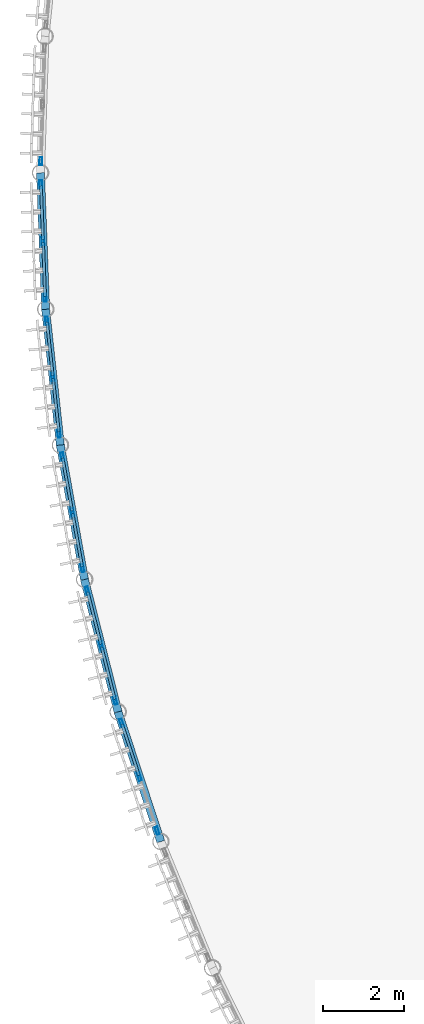
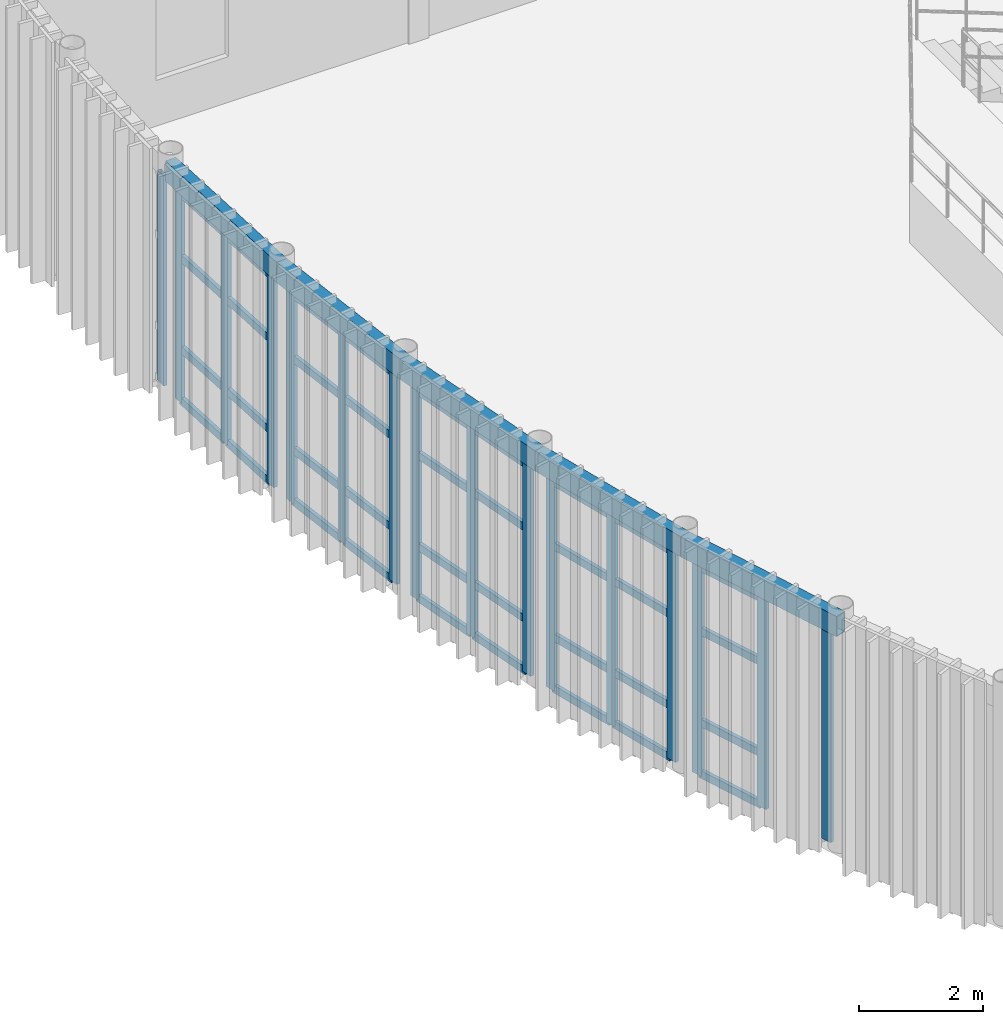
# One storey, part 34 of 116: 52 members, 5 beams, 6 elements without a shape of their own.
"""IFC4 building model written with IfcOpenShell, lengths in metres."""

from ifc_helpers import new_model, si_unit, direction, frame, origin, origin_2d, place, context, subcontext, project, spatial, hollow_rectangle, extrude, material, layer, layer_set, material_profile, profile_set, type_object, element, aggregate, save


model = new_model("IFC4")

# Units and contexts
model_context = context("Model", 3, precision=1e-05, world=origin(), true_north=direction((0.0, 1.0)))
body_context = subcontext(model_context, "Body", "Model", "MODEL_VIEW")
ifc_project = project(units=[si_unit("LENGTHUNIT", "METRE"), si_unit("AREAUNIT", "SQUARE_METRE"), si_unit("VOLUMEUNIT", "CUBIC_METRE"), si_unit("PLANEANGLEUNIT", "RADIAN"), si_unit("MASSUNIT", "GRAM", prefix="KILO")], contexts=[model_context])

# Site, building, storey
site_placement = place(None, origin())
site = spatial("IfcSite", under=ifc_project, at=site_placement, CompositionType="ELEMENT")
building_placement = place(site_placement, origin())
building = spatial("IfcBuilding", under=site, at=building_placement, Name="Selat Folded Stagehouse", CompositionType="ELEMENT")
storey_placement = place(building_placement, frame((0.0, 0.0, 5.39990234375)))
storey = spatial("IfcBuildingStorey", under=building, at=storey_placement, Name="L01", CompositionType="ELEMENT", Elevation=5.39990234375)

# Curtain wall, member
ifc_material_1 = material(Name="Aluminium 6063-T6", Category="aluminium")
ifc_layer = layer(ifc_material_1, 0.199951171875)
ifc_layer_set = layer_set([ifc_layer], Name="Aluminium 6063-T6")
curtain_wall_type = type_object("IfcCurtainWallType", Name="CW-DRM-MID", PredefinedType="NOTDEFINED", material=ifc_layer_set)
curtain_wall_1_placement = place(storey_placement, origin())
curtain_wall_1 = element("IfcCurtainWall", 1, at=curtain_wall_1_placement, inside=storey, type_object=curtain_wall_type, Name="L01 curtain wall CW-DRM-L01-01", PredefinedType="NOTDEFINED")
ifc_material_profile_1 = material_profile(ifc_material_1, hollow_rectangle(XDim=0.070068359375, YDim=0.199951171875, WallThickness=0.0048828125, at=origin_2d()), Name="ALU 200x70x5.0")
ifc_profile_set_1 = profile_set([ifc_material_profile_1], Name="Aluminium 6063-T6")
member_type_1 = type_object("IfcMemberType", Name="CWM-MUL-200x70", PredefinedType="MULLION", material=ifc_profile_set_1)
member_1_placement = place(storey_placement, frame((0.009521484375, 48.16650390625, 0.0), z_axis=(0.0, 0.0, 1.0), x_axis=(-0.999467648801, 0.032625434862, 0.0)))
member_1 = element("IfcMember", 2, at=member_1_placement, type_object=member_type_1, Name="CW-02 mullion 1", PredefinedType="MULLION", context=body_context, shape_type="SweptSolid", body=[
    extrude(hollow_rectangle(XDim=0.070068359375, YDim=0.199951171875, WallThickness=0.0048828125, at=origin_2d()), origin(), (0.0, 0.0, 1.0), 4.14013671875),
])
aggregate(curtain_wall_1, [member_1])

# Curtain wall, members
curtain_wall_2_placement = place(storey_placement, origin())
curtain_wall_2 = element("IfcCurtainWall", 3, at=curtain_wall_2_placement, inside=storey, type_object=curtain_wall_type, Name="L01 curtain wall CW-DRM-L01-02", PredefinedType="NOTDEFINED")
member_2_placement = place(storey_placement, frame((0.115966796875, 44.7998046875, 0.0), z_axis=(0.0, 0.0, 1.0), x_axis=(-0.999293858167, -0.037573727908, 0.0)))
member_2 = element("IfcMember", 4, at=member_2_placement, type_object=member_type_1, Name="CW-02 mullion 1", PredefinedType="MULLION", context=body_context, shape_type="SweptSolid", body=[
    extrude(hollow_rectangle(XDim=0.070068359375, YDim=0.199951171875, WallThickness=0.0048828125, at=origin_2d()), origin(), (0.0, 0.0, 1.0), 4.14013671875),
])
member_3_placement = place(storey_placement, frame((0.0634765625, 46.1982421875, 0.0), z_axis=(0.0, 0.0, 1.0), x_axis=(-0.999293858167, -0.037573727908, 0.0)))
member_3 = element("IfcMember", 5, at=member_3_placement, type_object=member_type_1, Name="CW-02 mullion 2", PredefinedType="MULLION", context=body_context, shape_type="SweptSolid", body=[
    extrude(hollow_rectangle(XDim=0.070068359375, YDim=0.199951171875, WallThickness=0.0048828125, at=origin_2d()), origin(), (0.0, 0.0, 1.0), 4.14013671875),
])
member_4_placement = place(storey_placement, frame((0.0107421875, 47.596923828125, 0.0), z_axis=(0.0, 0.0, 1.0), x_axis=(-0.999293858167, -0.037573727908, 0.0)))
member_4 = element("IfcMember", 6, at=member_4_placement, type_object=member_type_1, Name="CW-02 mullion 3", PredefinedType="MULLION", context=body_context, shape_type="SweptSolid", body=[
    extrude(hollow_rectangle(XDim=0.070068359375, YDim=0.199951171875, WallThickness=0.0048828125, at=origin_2d()), origin(), (0.0, 0.0, 1.0), 4.14013671875),
])

curtain_wall_3_placement = place(storey_placement, origin())
curtain_wall_3 = element("IfcCurtainWall", 7, at=curtain_wall_3_placement, inside=storey, type_object=curtain_wall_type, Name="L01 curtain wall CW-DRM-L01-03", PredefinedType="NOTDEFINED")
member_5_placement = place(storey_placement, frame((0.45849609375, 41.44873046875, 0.0), z_axis=(0.0, 0.0, 1.0), x_axis=(-0.994198790497, -0.107558193428, 0.0)))
member_5 = element("IfcMember", 8, at=member_5_placement, type_object=member_type_1, Name="CW-02 mullion 1", PredefinedType="MULLION", context=body_context, shape_type="SweptSolid", body=[
    extrude(hollow_rectangle(XDim=0.070068359375, YDim=0.199951171875, WallThickness=0.0048828125, at=origin_2d()), origin(), (0.0, 0.0, 1.0), 4.14013671875),
])
member_6_placement = place(storey_placement, frame((0.307861328125, 42.84033203125, 0.0), z_axis=(0.0, 0.0, 1.0), x_axis=(-0.994198790497, -0.107558193428, 0.0)))
member_6 = element("IfcMember", 9, at=member_6_placement, type_object=member_type_1, Name="CW-02 mullion 2", PredefinedType="MULLION", context=body_context, shape_type="SweptSolid", body=[
    extrude(hollow_rectangle(XDim=0.070068359375, YDim=0.199951171875, WallThickness=0.0048828125, at=origin_2d()), origin(), (0.0, 0.0, 1.0), 4.14013671875),
])
member_7_placement = place(storey_placement, frame((0.157470703125, 44.231689453125, 0.0), z_axis=(0.0, 0.0, 1.0), x_axis=(-0.994198790497, -0.107558193428, 0.0)))
member_7 = element("IfcMember", 10, at=member_7_placement, type_object=member_type_1, Name="CW-02 mullion 3", PredefinedType="MULLION", context=body_context, shape_type="SweptSolid", body=[
    extrude(hollow_rectangle(XDim=0.070068359375, YDim=0.199951171875, WallThickness=0.0048828125, at=origin_2d()), origin(), (0.0, 0.0, 1.0), 4.14013671875),
])

curtain_wall_4_placement = place(storey_placement, origin())
curtain_wall_4 = element("IfcCurtainWall", 11, at=curtain_wall_4_placement, inside=storey, type_object=curtain_wall_type, Name="L01 curtain wall CW-DRM-L01-04", PredefinedType="NOTDEFINED")
member_8_placement = place(storey_placement, frame((1.034912109375, 38.130126953125, 0.0), z_axis=(0.0, 0.0, 1.0), x_axis=(-0.984210538572, -0.177001739435, 0.0)))
member_8 = element("IfcMember", 12, at=member_8_placement, type_object=member_type_1, Name="CW-02 mullion 1", PredefinedType="MULLION", context=body_context, shape_type="SweptSolid", body=[
    extrude(hollow_rectangle(XDim=0.070068359375, YDim=0.199951171875, WallThickness=0.0048828125, at=origin_2d()), origin(), (0.0, 0.0, 1.0), 4.14013671875),
])
member_9_placement = place(storey_placement, frame((0.787353515625, 39.507568359375, 0.0), z_axis=(0.0, 0.0, 1.0), x_axis=(-0.984210538572, -0.177001739435, 0.0)))
member_9 = element("IfcMember", 13, at=member_9_placement, type_object=member_type_1, Name="CW-02 mullion 2", PredefinedType="MULLION", context=body_context, shape_type="SweptSolid", body=[
    extrude(hollow_rectangle(XDim=0.070068359375, YDim=0.199951171875, WallThickness=0.0048828125, at=origin_2d()), origin(), (0.0, 0.0, 1.0), 4.14013671875),
])
member_10_placement = place(storey_placement, frame((0.53955078125, 40.885009765625, 0.0), z_axis=(0.0, 0.0, 1.0), x_axis=(-0.984210538572, -0.177001739435, 0.0)))
member_10 = element("IfcMember", 14, at=member_10_placement, type_object=member_type_1, Name="CW-02 mullion 3", PredefinedType="MULLION", context=body_context, shape_type="SweptSolid", body=[
    extrude(hollow_rectangle(XDim=0.070068359375, YDim=0.199951171875, WallThickness=0.0048828125, at=origin_2d()), origin(), (0.0, 0.0, 1.0), 4.14013671875),
])

curtain_wall_5_placement = place(storey_placement, origin())
curtain_wall_5 = element("IfcCurtainWall", 15, at=curtain_wall_5_placement, inside=storey, type_object=curtain_wall_type, Name="L01 curtain wall CW-DRM-L01-05", PredefinedType="NOTDEFINED")
member_11_placement = place(storey_placement, frame((1.843017578125, 34.860107421875, 0.0), z_axis=(0.0, 0.0, 1.0), x_axis=(-0.969366705351, -0.24561797686, 0.0)))
member_11 = element("IfcMember", 16, at=member_11_placement, type_object=member_type_1, Name="CW-02 mullion 1", PredefinedType="MULLION", context=body_context, shape_type="SweptSolid", body=[
    extrude(hollow_rectangle(XDim=0.070068359375, YDim=0.199951171875, WallThickness=0.0048828125, at=origin_2d()), origin(), (0.0, 0.0, 1.0), 4.14013671875),
])
member_12_placement = place(storey_placement, frame((1.499267578125, 36.216796875, 0.0), z_axis=(0.0, 0.0, 1.0), x_axis=(-0.969366705351, -0.24561797686, 0.0)))
member_12 = element("IfcMember", 17, at=member_12_placement, type_object=member_type_1, Name="CW-02 mullion 2", PredefinedType="MULLION", context=body_context, shape_type="SweptSolid", body=[
    extrude(hollow_rectangle(XDim=0.070068359375, YDim=0.199951171875, WallThickness=0.0048828125, at=origin_2d()), origin(), (0.0, 0.0, 1.0), 4.14013671875),
])
member_13_placement = place(storey_placement, frame((1.155517578125, 37.573486328125, 0.0), z_axis=(0.0, 0.0, 1.0), x_axis=(-0.969366705351, -0.24561797686, 0.0)))
member_13 = element("IfcMember", 18, at=member_13_placement, type_object=member_type_1, Name="CW-02 mullion 3", PredefinedType="MULLION", context=body_context, shape_type="SweptSolid", body=[
    extrude(hollow_rectangle(XDim=0.070068359375, YDim=0.199951171875, WallThickness=0.0048828125, at=origin_2d()), origin(), (0.0, 0.0, 1.0), 4.14013671875),
])

curtain_wall_6_placement = place(storey_placement, origin())
curtain_wall_6 = element("IfcCurtainWall", 19, at=curtain_wall_6_placement, inside=storey, type_object=curtain_wall_type, Name="L01 curtain wall CW-DRM-L01-06", PredefinedType="NOTDEFINED")
member_14_placement = place(storey_placement, frame((2.87841796875, 31.65478515625, 0.0), z_axis=(0.0, 0.0, 1.0), x_axis=(-0.949754805107, -0.312994904395, 0.0)))
member_14 = element("IfcMember", 20, at=member_14_placement, type_object=member_type_1, Name="CW-02 mullion 1", PredefinedType="MULLION", context=body_context, shape_type="SweptSolid", body=[
    extrude(hollow_rectangle(XDim=0.070068359375, YDim=0.199951171875, WallThickness=0.0048828125, at=origin_2d()), origin(), (0.0, 0.0, 1.0), 4.14013671875),
])
member_15_placement = place(storey_placement, frame((2.440185546875, 32.984130859375, 0.0), z_axis=(0.0, 0.0, 1.0), x_axis=(-0.949754805107, -0.312994904395, 0.0)))
member_15 = element("IfcMember", 21, at=member_15_placement, type_object=member_type_1, Name="CW-02 mullion 2", PredefinedType="MULLION", context=body_context, shape_type="SweptSolid", body=[
    extrude(hollow_rectangle(XDim=0.070068359375, YDim=0.199951171875, WallThickness=0.0048828125, at=origin_2d()), origin(), (0.0, 0.0, 1.0), 4.14013671875),
])
member_16_placement = place(storey_placement, frame((2.002197265625, 34.313232421875, 0.0), z_axis=(0.0, 0.0, 1.0), x_axis=(-0.949754805107, -0.312994904395, 0.0)))
member_16 = element("IfcMember", 22, at=member_16_placement, type_object=member_type_1, Name="CW-02 mullion 3", PredefinedType="MULLION", context=body_context, shape_type="SweptSolid", body=[
    extrude(hollow_rectangle(XDim=0.070068359375, YDim=0.199951171875, WallThickness=0.0048828125, at=origin_2d()), origin(), (0.0, 0.0, 1.0), 4.14013671875),
])

# Member
ifc_material_profile_2 = material_profile(ifc_material_1, hollow_rectangle(XDim=0.070068359375, YDim=0.14990234375, WallThickness=0.00390625, at=origin_2d()), Name="ALU 150x70x4.0")
ifc_profile_set_2 = profile_set([ifc_material_profile_2], Name="Aluminium 6063-T6")
member_type_2 = type_object("IfcMemberType", Name="CWM-TRN-150x70", PredefinedType="USERDEFINED", material=ifc_profile_set_2)
member_17_placement = place(storey_placement, frame((0.11474609375, 44.834716796875, 0.03515625), z_axis=(-0.037643275331, 0.999291240741, 0.0), x_axis=(-0.999291240741, -0.037643275331, 0.0)))
member_17 = element("IfcMember", 23, at=member_17_placement, type_object=member_type_2, Name="CW-02 transom 1.1", ObjectType="TRANSOM", PredefinedType="USERDEFINED", context=body_context, shape_type="SweptSolid", body=[
    extrude(hollow_rectangle(XDim=0.070068359375, YDim=0.14990234375, WallThickness=0.00390625, at=origin_2d()), origin(), (0.0, 0.0, 1.0), 1.32958984375),
])

member_18_placement = place(storey_placement, frame((0.11474609375, 44.834716796875, 1.050048828125), z_axis=(-0.037643275331, 0.999291240741, 0.0), x_axis=(-0.999291240741, -0.037643275331, 0.0)))
member_18 = element("IfcMember", 24, at=member_18_placement, type_object=member_type_2, Name="CW-02 transom 1.2", ObjectType="TRANSOM", PredefinedType="USERDEFINED", context=body_context, shape_type="SweptSolid", body=[
    extrude(hollow_rectangle(XDim=0.070068359375, YDim=0.14990234375, WallThickness=0.00390625, at=origin_2d()), origin(), (0.0, 0.0, 1.0), 1.32958984375),
])

member_19_placement = place(storey_placement, frame((0.11474609375, 44.834716796875, 2.85009765625), z_axis=(-0.037643275331, 0.999291240741, 0.0), x_axis=(-0.999291240741, -0.037643275331, 0.0)))
member_19 = element("IfcMember", 25, at=member_19_placement, type_object=member_type_2, Name="CW-02 transom 1.3", ObjectType="TRANSOM", PredefinedType="USERDEFINED", context=body_context, shape_type="SweptSolid", body=[
    extrude(hollow_rectangle(XDim=0.070068359375, YDim=0.14990234375, WallThickness=0.00390625, at=origin_2d()), origin(), (0.0, 0.0, 1.0), 1.32958984375),
])

member_20_placement = place(storey_placement, frame((0.11474609375, 44.834716796875, 4.10498046875), z_axis=(-0.037643275331, 0.999291240741, 0.0), x_axis=(-0.999291240741, -0.037643275331, 0.0)))
member_20 = element("IfcMember", 26, at=member_20_placement, type_object=member_type_2, Name="CW-02 transom 1.4", ObjectType="TRANSOM", PredefinedType="USERDEFINED", context=body_context, shape_type="SweptSolid", body=[
    extrude(hollow_rectangle(XDim=0.070068359375, YDim=0.14990234375, WallThickness=0.00390625, at=origin_2d()), origin(), (0.0, 0.0, 1.0), 1.32958984375),
])

member_21_placement = place(storey_placement, frame((0.06201171875, 46.233154296875, 0.03515625), z_axis=(-0.0374599079, 0.99929813134, 0.0), x_axis=(-0.99929813134, -0.0374599079, 0.0)))
member_21 = element("IfcMember", 27, at=member_21_placement, type_object=member_type_2, Name="CW-02 transom 2.1", ObjectType="TRANSOM", PredefinedType="USERDEFINED", context=body_context, shape_type="SweptSolid", body=[
    extrude(hollow_rectangle(XDim=0.070068359375, YDim=0.14990234375, WallThickness=0.00390625, at=origin_2d()), origin(), (0.0, 0.0, 1.0), 1.32958984375),
])

member_22_placement = place(storey_placement, frame((0.06201171875, 46.233154296875, 1.050048828125), z_axis=(-0.0374599079, 0.99929813134, 0.0), x_axis=(-0.99929813134, -0.0374599079, 0.0)))
member_22 = element("IfcMember", 28, at=member_22_placement, type_object=member_type_2, Name="CW-02 transom 2.2", ObjectType="TRANSOM", PredefinedType="USERDEFINED", context=body_context, shape_type="SweptSolid", body=[
    extrude(hollow_rectangle(XDim=0.070068359375, YDim=0.14990234375, WallThickness=0.00390625, at=origin_2d()), origin(), (0.0, 0.0, 1.0), 1.32958984375),
])

member_23_placement = place(storey_placement, frame((0.06201171875, 46.233154296875, 2.85009765625), z_axis=(-0.0374599079, 0.99929813134, 0.0), x_axis=(-0.99929813134, -0.0374599079, 0.0)))
member_23 = element("IfcMember", 29, at=member_23_placement, type_object=member_type_2, Name="CW-02 transom 2.3", ObjectType="TRANSOM", PredefinedType="USERDEFINED", context=body_context, shape_type="SweptSolid", body=[
    extrude(hollow_rectangle(XDim=0.070068359375, YDim=0.14990234375, WallThickness=0.00390625, at=origin_2d()), origin(), (0.0, 0.0, 1.0), 1.32958984375),
])

member_24_placement = place(storey_placement, frame((0.06201171875, 46.233154296875, 4.10498046875), z_axis=(-0.0374599079, 0.99929813134, 0.0), x_axis=(-0.99929813134, -0.0374599079, 0.0)))
member_24 = element("IfcMember", 30, at=member_24_placement, type_object=member_type_2, Name="CW-02 transom 2.4", ObjectType="TRANSOM", PredefinedType="USERDEFINED", context=body_context, shape_type="SweptSolid", body=[
    extrude(hollow_rectangle(XDim=0.070068359375, YDim=0.14990234375, WallThickness=0.00390625, at=origin_2d()), origin(), (0.0, 0.0, 1.0), 1.32958984375),
])

aggregate(curtain_wall_2, [member_2, member_3, member_4, member_17, member_18, member_19, member_20, member_21, member_22, member_23, member_24])

member_25_placement = place(storey_placement, frame((0.45458984375, 41.483642578125, 0.03515625), z_axis=(-0.107427878618, 0.994212880069, 0.0), x_axis=(-0.994212880069, -0.107427878618, 0.0)))
member_25 = element("IfcMember", 31, at=member_25_placement, type_object=member_type_2, Name="CW-02 transom 1.1", ObjectType="TRANSOM", PredefinedType="USERDEFINED", context=body_context, shape_type="SweptSolid", body=[
    extrude(hollow_rectangle(XDim=0.070068359375, YDim=0.14990234375, WallThickness=0.00390625, at=origin_2d()), origin(), (0.0, 0.0, 1.0), 1.32958984375),
])

member_26_placement = place(storey_placement, frame((0.45458984375, 41.483642578125, 1.050048828125), z_axis=(-0.107427878618, 0.994212880069, 0.0), x_axis=(-0.994212880069, -0.107427878618, 0.0)))
member_26 = element("IfcMember", 32, at=member_26_placement, type_object=member_type_2, Name="CW-02 transom 1.2", ObjectType="TRANSOM", PredefinedType="USERDEFINED", context=body_context, shape_type="SweptSolid", body=[
    extrude(hollow_rectangle(XDim=0.070068359375, YDim=0.14990234375, WallThickness=0.00390625, at=origin_2d()), origin(), (0.0, 0.0, 1.0), 1.32958984375),
])

member_27_placement = place(storey_placement, frame((0.45458984375, 41.483642578125, 2.85009765625), z_axis=(-0.107427878618, 0.994212880069, 0.0), x_axis=(-0.994212880069, -0.107427878618, 0.0)))
member_27 = element("IfcMember", 33, at=member_27_placement, type_object=member_type_2, Name="CW-02 transom 1.3", ObjectType="TRANSOM", PredefinedType="USERDEFINED", context=body_context, shape_type="SweptSolid", body=[
    extrude(hollow_rectangle(XDim=0.070068359375, YDim=0.14990234375, WallThickness=0.00390625, at=origin_2d()), origin(), (0.0, 0.0, 1.0), 1.32958984375),
])

member_28_placement = place(storey_placement, frame((0.45458984375, 41.483642578125, 4.10498046875), z_axis=(-0.107427878618, 0.994212880069, 0.0), x_axis=(-0.994212880069, -0.107427878618, 0.0)))
member_28 = element("IfcMember", 34, at=member_28_placement, type_object=member_type_2, Name="CW-02 transom 1.4", ObjectType="TRANSOM", PredefinedType="USERDEFINED", context=body_context, shape_type="SweptSolid", body=[
    extrude(hollow_rectangle(XDim=0.070068359375, YDim=0.14990234375, WallThickness=0.00390625, at=origin_2d()), origin(), (0.0, 0.0, 1.0), 1.32958984375),
])

member_29_placement = place(storey_placement, frame((0.30419921875, 42.875, 0.03515625), z_axis=(-0.107589748922, 0.994195376134, 0.0), x_axis=(-0.994195376134, -0.107589748922, 0.0)))
member_29 = element("IfcMember", 35, at=member_29_placement, type_object=member_type_2, Name="CW-02 transom 2.1", ObjectType="TRANSOM", PredefinedType="USERDEFINED", context=body_context, shape_type="SweptSolid", body=[
    extrude(hollow_rectangle(XDim=0.070068359375, YDim=0.14990234375, WallThickness=0.00390625, at=origin_2d()), origin(), (0.0, 0.0, 1.0), 1.329833984375),
])

member_30_placement = place(storey_placement, frame((0.30419921875, 42.875, 1.050048828125), z_axis=(-0.107589748922, 0.994195376134, 0.0), x_axis=(-0.994195376134, -0.107589748922, 0.0)))
member_30 = element("IfcMember", 36, at=member_30_placement, type_object=member_type_2, Name="CW-02 transom 2.2", ObjectType="TRANSOM", PredefinedType="USERDEFINED", context=body_context, shape_type="SweptSolid", body=[
    extrude(hollow_rectangle(XDim=0.070068359375, YDim=0.14990234375, WallThickness=0.00390625, at=origin_2d()), origin(), (0.0, 0.0, 1.0), 1.329833984375),
])

member_31_placement = place(storey_placement, frame((0.30419921875, 42.875, 2.85009765625), z_axis=(-0.107589748922, 0.994195376134, 0.0), x_axis=(-0.994195376134, -0.107589748922, 0.0)))
member_31 = element("IfcMember", 37, at=member_31_placement, type_object=member_type_2, Name="CW-02 transom 2.3", ObjectType="TRANSOM", PredefinedType="USERDEFINED", context=body_context, shape_type="SweptSolid", body=[
    extrude(hollow_rectangle(XDim=0.070068359375, YDim=0.14990234375, WallThickness=0.00390625, at=origin_2d()), origin(), (0.0, 0.0, 1.0), 1.329833984375),
])

member_32_placement = place(storey_placement, frame((0.30419921875, 42.875, 4.10498046875), z_axis=(-0.107589748922, 0.994195376134, 0.0), x_axis=(-0.994195376134, -0.107589748922, 0.0)))
member_32 = element("IfcMember", 38, at=member_32_placement, type_object=member_type_2, Name="CW-02 transom 2.4", ObjectType="TRANSOM", PredefinedType="USERDEFINED", context=body_context, shape_type="SweptSolid", body=[
    extrude(hollow_rectangle(XDim=0.070068359375, YDim=0.14990234375, WallThickness=0.00390625, at=origin_2d()), origin(), (0.0, 0.0, 1.0), 1.329833984375),
])

aggregate(curtain_wall_3, [member_5, member_6, member_7, member_25, member_26, member_27, member_28, member_29, member_30, member_31, member_32])

member_33_placement = place(storey_placement, frame((1.02880859375, 38.164794921875, 0.03515625), z_axis=(-0.177042705029, 0.984203170385, 0.0), x_axis=(-0.984203170385, -0.177042705029, 0.0)))
member_33 = element("IfcMember", 39, at=member_33_placement, type_object=member_type_2, Name="CW-02 transom 1.1", ObjectType="TRANSOM", PredefinedType="USERDEFINED", context=body_context, shape_type="SweptSolid", body=[
    extrude(hollow_rectangle(XDim=0.070068359375, YDim=0.14990234375, WallThickness=0.00390625, at=origin_2d()), origin(), (0.0, 0.0, 1.0), 1.329345703125),
])

member_34_placement = place(storey_placement, frame((1.02880859375, 38.164794921875, 1.050048828125), z_axis=(-0.177042705029, 0.984203170385, 0.0), x_axis=(-0.984203170385, -0.177042705029, 0.0)))
member_34 = element("IfcMember", 40, at=member_34_placement, type_object=member_type_2, Name="CW-02 transom 1.2", ObjectType="TRANSOM", PredefinedType="USERDEFINED", context=body_context, shape_type="SweptSolid", body=[
    extrude(hollow_rectangle(XDim=0.070068359375, YDim=0.14990234375, WallThickness=0.00390625, at=origin_2d()), origin(), (0.0, 0.0, 1.0), 1.329345703125),
])

member_35_placement = place(storey_placement, frame((1.02880859375, 38.164794921875, 2.85009765625), z_axis=(-0.177042705029, 0.984203170385, 0.0), x_axis=(-0.984203170385, -0.177042705029, 0.0)))
member_35 = element("IfcMember", 41, at=member_35_placement, type_object=member_type_2, Name="CW-02 transom 1.3", ObjectType="TRANSOM", PredefinedType="USERDEFINED", context=body_context, shape_type="SweptSolid", body=[
    extrude(hollow_rectangle(XDim=0.070068359375, YDim=0.14990234375, WallThickness=0.00390625, at=origin_2d()), origin(), (0.0, 0.0, 1.0), 1.329345703125),
])

member_36_placement = place(storey_placement, frame((1.02880859375, 38.164794921875, 4.10498046875), z_axis=(-0.177042705029, 0.984203170385, 0.0), x_axis=(-0.984203170385, -0.177042705029, 0.0)))
member_36 = element("IfcMember", 42, at=member_36_placement, type_object=member_type_2, Name="CW-02 transom 1.4", ObjectType="TRANSOM", PredefinedType="USERDEFINED", context=body_context, shape_type="SweptSolid", body=[
    extrude(hollow_rectangle(XDim=0.070068359375, YDim=0.14990234375, WallThickness=0.00390625, at=origin_2d()), origin(), (0.0, 0.0, 1.0), 1.329345703125),
])

member_37_placement = place(storey_placement, frame((0.781005859375, 39.5419921875, 0.03515625), z_axis=(-0.176832833324, 0.984240899912, 0.0), x_axis=(-0.984240899912, -0.176832833324, 0.0)))
member_37 = element("IfcMember", 43, at=member_37_placement, type_object=member_type_2, Name="CW-02 transom 2.1", ObjectType="TRANSOM", PredefinedType="USERDEFINED", context=body_context, shape_type="SweptSolid", body=[
    extrude(hollow_rectangle(XDim=0.070068359375, YDim=0.14990234375, WallThickness=0.00390625, at=origin_2d()), origin(), (0.0, 0.0, 1.0), 1.32958984375),
])

member_38_placement = place(storey_placement, frame((0.781005859375, 39.5419921875, 1.050048828125), z_axis=(-0.176832833324, 0.984240899912, 0.0), x_axis=(-0.984240899912, -0.176832833324, 0.0)))
member_38 = element("IfcMember", 44, at=member_38_placement, type_object=member_type_2, Name="CW-02 transom 2.2", ObjectType="TRANSOM", PredefinedType="USERDEFINED", context=body_context, shape_type="SweptSolid", body=[
    extrude(hollow_rectangle(XDim=0.070068359375, YDim=0.14990234375, WallThickness=0.00390625, at=origin_2d()), origin(), (0.0, 0.0, 1.0), 1.32958984375),
])

member_39_placement = place(storey_placement, frame((0.781005859375, 39.5419921875, 2.85009765625), z_axis=(-0.176832833324, 0.984240899912, 0.0), x_axis=(-0.984240899912, -0.176832833324, 0.0)))
member_39 = element("IfcMember", 45, at=member_39_placement, type_object=member_type_2, Name="CW-02 transom 2.3", ObjectType="TRANSOM", PredefinedType="USERDEFINED", context=body_context, shape_type="SweptSolid", body=[
    extrude(hollow_rectangle(XDim=0.070068359375, YDim=0.14990234375, WallThickness=0.00390625, at=origin_2d()), origin(), (0.0, 0.0, 1.0), 1.32958984375),
])

member_40_placement = place(storey_placement, frame((0.781005859375, 39.5419921875, 4.10498046875), z_axis=(-0.176832833324, 0.984240899912, 0.0), x_axis=(-0.984240899912, -0.176832833324, 0.0)))
member_40 = element("IfcMember", 46, at=member_40_placement, type_object=member_type_2, Name="CW-02 transom 2.4", ObjectType="TRANSOM", PredefinedType="USERDEFINED", context=body_context, shape_type="SweptSolid", body=[
    extrude(hollow_rectangle(XDim=0.070068359375, YDim=0.14990234375, WallThickness=0.00390625, at=origin_2d()), origin(), (0.0, 0.0, 1.0), 1.32958984375),
])

aggregate(curtain_wall_4, [member_8, member_9, member_10, member_33, member_34, member_35, member_36, member_37, member_38, member_39, member_40])

member_41_placement = place(storey_placement, frame((1.83447265625, 34.89404296875, 0.03515625), z_axis=(-0.245688348294, 0.96934887193, 0.0), x_axis=(-0.96934887193, -0.245688348294, 0.0)))
member_41 = element("IfcMember", 47, at=member_41_placement, type_object=member_type_2, Name="CW-02 transom 1.1", ObjectType="TRANSOM", PredefinedType="USERDEFINED", context=body_context, shape_type="SweptSolid", body=[
    extrude(hollow_rectangle(XDim=0.070068359375, YDim=0.14990234375, WallThickness=0.00390625, at=origin_2d()), origin(), (0.0, 0.0, 1.0), 1.32958984375),
])

member_42_placement = place(storey_placement, frame((1.83447265625, 34.89404296875, 1.050048828125), z_axis=(-0.245688348294, 0.96934887193, 0.0), x_axis=(-0.96934887193, -0.245688348294, 0.0)))
member_42 = element("IfcMember", 48, at=member_42_placement, type_object=member_type_2, Name="CW-02 transom 1.2", ObjectType="TRANSOM", PredefinedType="USERDEFINED", context=body_context, shape_type="SweptSolid", body=[
    extrude(hollow_rectangle(XDim=0.070068359375, YDim=0.14990234375, WallThickness=0.00390625, at=origin_2d()), origin(), (0.0, 0.0, 1.0), 1.32958984375),
])

member_43_placement = place(storey_placement, frame((1.83447265625, 34.89404296875, 2.85009765625), z_axis=(-0.245688348294, 0.96934887193, 0.0), x_axis=(-0.96934887193, -0.245688348294, 0.0)))
member_43 = element("IfcMember", 49, at=member_43_placement, type_object=member_type_2, Name="CW-02 transom 1.3", ObjectType="TRANSOM", PredefinedType="USERDEFINED", context=body_context, shape_type="SweptSolid", body=[
    extrude(hollow_rectangle(XDim=0.070068359375, YDim=0.14990234375, WallThickness=0.00390625, at=origin_2d()), origin(), (0.0, 0.0, 1.0), 1.32958984375),
])

member_44_placement = place(storey_placement, frame((1.83447265625, 34.89404296875, 4.10498046875), z_axis=(-0.245688348294, 0.96934887193, 0.0), x_axis=(-0.96934887193, -0.245688348294, 0.0)))
member_44 = element("IfcMember", 50, at=member_44_placement, type_object=member_type_2, Name="CW-02 transom 1.4", ObjectType="TRANSOM", PredefinedType="USERDEFINED", context=body_context, shape_type="SweptSolid", body=[
    extrude(hollow_rectangle(XDim=0.070068359375, YDim=0.14990234375, WallThickness=0.00390625, at=origin_2d()), origin(), (0.0, 0.0, 1.0), 1.32958984375),
])

member_45_placement = place(storey_placement, frame((1.49072265625, 36.250732421875, 0.03515625), z_axis=(-0.245688348294, 0.96934887193, 0.0), x_axis=(-0.96934887193, -0.245688348294, 0.0)))
member_45 = element("IfcMember", 51, at=member_45_placement, type_object=member_type_2, Name="CW-02 transom 2.1", ObjectType="TRANSOM", PredefinedType="USERDEFINED", context=body_context, shape_type="SweptSolid", body=[
    extrude(hollow_rectangle(XDim=0.070068359375, YDim=0.14990234375, WallThickness=0.00390625, at=origin_2d()), origin(), (0.0, 0.0, 1.0), 1.32958984375),
])

member_46_placement = place(storey_placement, frame((1.49072265625, 36.250732421875, 1.050048828125), z_axis=(-0.245688348294, 0.96934887193, 0.0), x_axis=(-0.96934887193, -0.245688348294, 0.0)))
member_46 = element("IfcMember", 52, at=member_46_placement, type_object=member_type_2, Name="CW-02 transom 2.2", ObjectType="TRANSOM", PredefinedType="USERDEFINED", context=body_context, shape_type="SweptSolid", body=[
    extrude(hollow_rectangle(XDim=0.070068359375, YDim=0.14990234375, WallThickness=0.00390625, at=origin_2d()), origin(), (0.0, 0.0, 1.0), 1.32958984375),
])

member_47_placement = place(storey_placement, frame((1.49072265625, 36.250732421875, 2.85009765625), z_axis=(-0.245688348294, 0.96934887193, 0.0), x_axis=(-0.96934887193, -0.245688348294, 0.0)))
member_47 = element("IfcMember", 53, at=member_47_placement, type_object=member_type_2, Name="CW-02 transom 2.3", ObjectType="TRANSOM", PredefinedType="USERDEFINED", context=body_context, shape_type="SweptSolid", body=[
    extrude(hollow_rectangle(XDim=0.070068359375, YDim=0.14990234375, WallThickness=0.00390625, at=origin_2d()), origin(), (0.0, 0.0, 1.0), 1.32958984375),
])

member_48_placement = place(storey_placement, frame((1.49072265625, 36.250732421875, 4.10498046875), z_axis=(-0.245688348294, 0.96934887193, 0.0), x_axis=(-0.96934887193, -0.245688348294, 0.0)))
member_48 = element("IfcMember", 54, at=member_48_placement, type_object=member_type_2, Name="CW-02 transom 2.4", ObjectType="TRANSOM", PredefinedType="USERDEFINED", context=body_context, shape_type="SweptSolid", body=[
    extrude(hollow_rectangle(XDim=0.070068359375, YDim=0.14990234375, WallThickness=0.00390625, at=origin_2d()), origin(), (0.0, 0.0, 1.0), 1.32958984375),
])

aggregate(curtain_wall_5, [member_11, member_12, member_13, member_41, member_42, member_43, member_44, member_45, member_46, member_47, member_48])

member_49_placement = place(storey_placement, frame((2.429443359375, 33.017333984375, 0.03515625), z_axis=(-0.313085992479, 0.949724781878, 0.0), x_axis=(-0.949724781878, -0.313085992479, 0.0)))
member_49 = element("IfcMember", 55, at=member_49_placement, type_object=member_type_2, Name="CW-02 transom 2.1", ObjectType="TRANSOM", PredefinedType="USERDEFINED", context=body_context, shape_type="SweptSolid", body=[
    extrude(hollow_rectangle(XDim=0.070068359375, YDim=0.14990234375, WallThickness=0.00390625, at=origin_2d()), origin(), (0.0, 0.0, 1.0), 1.32958984375),
])

member_50_placement = place(storey_placement, frame((2.429443359375, 33.017333984375, 1.050048828125), z_axis=(-0.313085992479, 0.949724781878, 0.0), x_axis=(-0.949724781878, -0.313085992479, 0.0)))
member_50 = element("IfcMember", 56, at=member_50_placement, type_object=member_type_2, Name="CW-02 transom 2.2", ObjectType="TRANSOM", PredefinedType="USERDEFINED", context=body_context, shape_type="SweptSolid", body=[
    extrude(hollow_rectangle(XDim=0.070068359375, YDim=0.14990234375, WallThickness=0.00390625, at=origin_2d()), origin(), (0.0, 0.0, 1.0), 1.32958984375),
])

member_51_placement = place(storey_placement, frame((2.429443359375, 33.017333984375, 2.85009765625), z_axis=(-0.313085992479, 0.949724781878, 0.0), x_axis=(-0.949724781878, -0.313085992479, 0.0)))
member_51 = element("IfcMember", 57, at=member_51_placement, type_object=member_type_2, Name="CW-02 transom 2.3", ObjectType="TRANSOM", PredefinedType="USERDEFINED", context=body_context, shape_type="SweptSolid", body=[
    extrude(hollow_rectangle(XDim=0.070068359375, YDim=0.14990234375, WallThickness=0.00390625, at=origin_2d()), origin(), (0.0, 0.0, 1.0), 1.32958984375),
])

member_52_placement = place(storey_placement, frame((2.429443359375, 33.017333984375, 4.10498046875), z_axis=(-0.313085992479, 0.949724781878, 0.0), x_axis=(-0.949724781878, -0.313085992479, 0.0)))
member_52 = element("IfcMember", 58, at=member_52_placement, type_object=member_type_2, Name="CW-02 transom 2.4", ObjectType="TRANSOM", PredefinedType="USERDEFINED", context=body_context, shape_type="SweptSolid", body=[
    extrude(hollow_rectangle(XDim=0.070068359375, YDim=0.14990234375, WallThickness=0.00390625, at=origin_2d()), origin(), (0.0, 0.0, 1.0), 1.32958984375),
])

aggregate(curtain_wall_6, [member_14, member_15, member_16, member_49, member_50, member_51, member_52])

# Beams
ifc_material_2 = material(Name="Steel S355", Category="steel")
ifc_material_profile_3 = material_profile(ifc_material_2, hollow_rectangle(XDim=0.199951171875, YDim=0.39990234375, WallThickness=0.012451171875, at=origin_2d()), Name="RHS 400x200x12.5")
ifc_profile_set_3 = profile_set([ifc_material_profile_3], Name="Steel S355")
beam_type = type_object("IfcBeamType", Name="SPD-EXT-400x200", PredefinedType="SPANDREL", material=ifc_profile_set_3)
beam_1_placement = place(storey_placement, frame((0.0, 47.881591796875, 4.380126953125), z_axis=(0.03760934134, -0.999292518457, 0.0), x_axis=(0.999292518457, 0.03760934134, 0.0)))
element("IfcBeam", 59, at=beam_1_placement, inside=storey, type_object=beam_type, Name="L01 curved drum spandrel beam 3", PredefinedType="SPANDREL", context=body_context, shape_type="SweptSolid", body=[
    extrude(hollow_rectangle(XDim=0.199951171875, YDim=0.39990234375, WallThickness=0.012451171875, at=origin_2d()), origin(), (0.0, 0.0, 1.0), 3.369140625),
])
beam_2_placement = place(storey_placement, frame((0.126708984375, 44.514892578125, 4.380126953125), z_axis=(0.107543794494, -0.994200348152, 0.0), x_axis=(0.994200348152, 0.107543794494, 0.0)))
element("IfcBeam", 60, at=beam_2_placement, inside=storey, type_object=beam_type, Name="L01 curved drum spandrel beam 4", PredefinedType="SPANDREL", context=body_context, shape_type="SweptSolid", body=[
    extrude(hollow_rectangle(XDim=0.199951171875, YDim=0.39990234375, WallThickness=0.012451171875, at=origin_2d()), origin(), (0.0, 0.0, 1.0), 3.368896484375),
])
beam_3_placement = place(storey_placement, frame((0.489013671875, 41.16552734375, 4.380126953125), z_axis=(0.177029462848, -0.984205552354, 0.0), x_axis=(0.984205552354, 0.177029462848, 0.0)))
element("IfcBeam", 61, at=beam_3_placement, inside=storey, type_object=beam_type, Name="L01 curved drum spandrel beam 5", PredefinedType="SPANDREL", context=body_context, shape_type="SweptSolid", body=[
    extrude(hollow_rectangle(XDim=0.199951171875, YDim=0.39990234375, WallThickness=0.012451171875, at=origin_2d()), origin(), (0.0, 0.0, 1.0), 3.369140625),
])
for number, where, z_axis, x_axis, name in (
    (62, (1.08544921875, 37.849609375, 4.380126953125), (0.245671863024, -0.96935305009, 0.0), (0.96935305009, 0.245671863024, 0.0), "L01 curved drum spandrel beam 6"),
    (63, (1.9130859375, 34.583984375, 4.380126953125), (0.312986630522, -0.949757531749, 0.0), (0.949757531749, 0.312986630522, 0.0), "L01 curved drum spandrel beam 7"),
):
    element("IfcBeam", number, at=place(storey_placement, frame(where, z_axis=z_axis, x_axis=x_axis)), inside=storey, type_object=beam_type, Name=name, PredefinedType="SPANDREL", context=body_context, shape_type="SweptSolid", body=[
        extrude(hollow_rectangle(XDim=0.199951171875, YDim=0.39990234375, WallThickness=0.012451171875, at=origin_2d()), origin(), (0.0, 0.0, 1.0), 3.368896484375),
    ])

save(model, "model.ifc")
